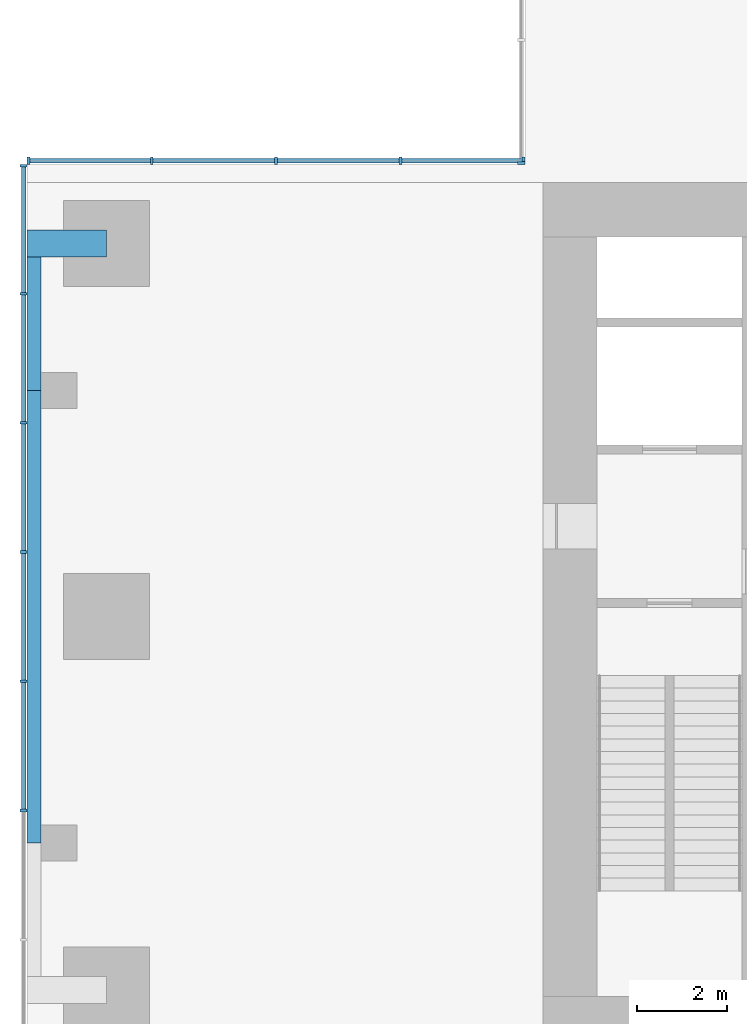
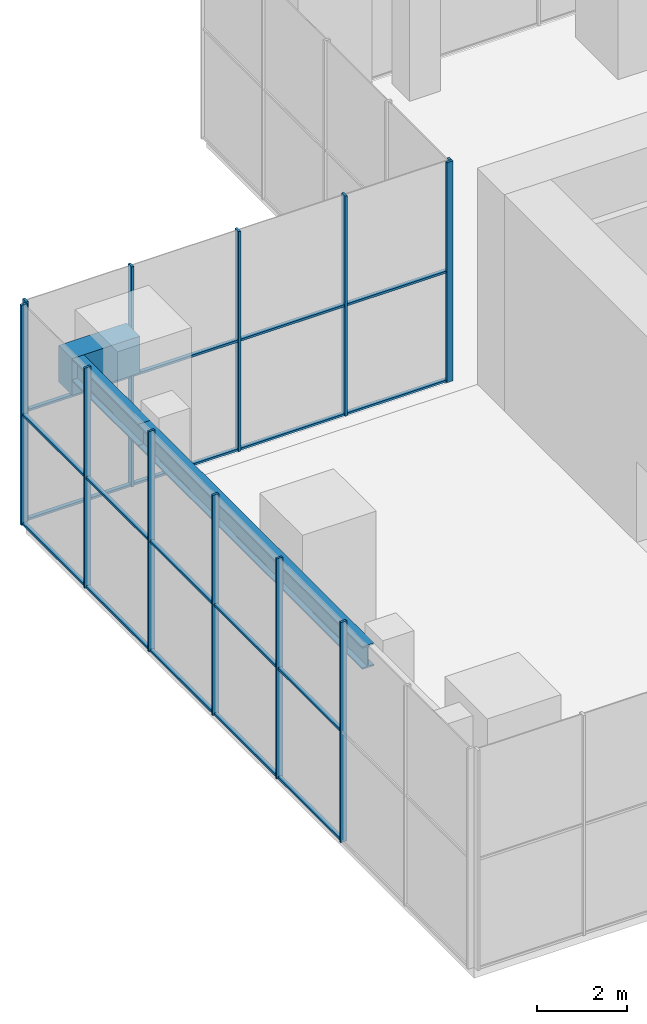
# One storey, part 4 of 11: 30 members, 3 beams, 3 elements without a shape of their own.
"""IFC4 building model written with IfcOpenShell, lengths in metres."""

from ifc_helpers import new_model, si_unit, direction, frame, origin, origin_2d, place, context, subcontext, project, spatial, rectangle, i_section, extrude, material, material_profile, profile_set, type_object, element, aggregate, save


model = new_model("IFC4")

# Units and contexts
model_context = context("Model", 3, precision=1e-05, world=origin(), true_north=direction((0.0, 1.0)))
body_context = subcontext(model_context, "Body", "Model", "MODEL_VIEW")
ifc_project = project(units=[si_unit("LENGTHUNIT", "METRE"), si_unit("AREAUNIT", "SQUARE_METRE"), si_unit("VOLUMEUNIT", "CUBIC_METRE"), si_unit("PLANEANGLEUNIT", "RADIAN"), si_unit("MASSUNIT", "GRAM", prefix="KILO")], contexts=[model_context])

# Site, building, storey
site_placement = place(None, origin())
site = spatial("IfcSite", under=ifc_project, at=site_placement, CompositionType="ELEMENT")
building_placement = place(site_placement, origin())
building = spatial("IfcBuilding", under=site, at=building_placement, Name="Svetlomir Tower", CompositionType="ELEMENT")
storey_placement = place(building_placement, frame((0.0, 0.0, 277.89990234375)))
storey = spatial("IfcBuildingStorey", under=building, at=storey_placement, Name="L66", CompositionType="ELEMENT", Elevation=277.89990234375)

# Curtain wall, member
ifc_material_1 = material(Name="Bronze anodised aluminium curtain wall", Category="aluminium")
curtain_wall_type = type_object("IfcCurtainWallType", Name="CURTAIN WALL CW6 LANTERN", PredefinedType="NOTDEFINED", material=ifc_material_1)
curtain_wall_1_placement = place(storey_placement, origin())
curtain_wall_1 = element("IfcCurtainWall", 1, at=curtain_wall_1_placement, inside=storey, type_object=curtain_wall_type, Name="Curtain wall CW6 L66", PredefinedType="NOTDEFINED")
ifc_material_2 = material(Name="Bronze anodised aluminium", Category="aluminium")
ifc_material_profile_1 = material_profile(ifc_material_2, rectangle(XDim=0.06005859375, YDim=0.159912109375, at=origin_2d()), Name="AL 60x160")
ifc_profile_set_1 = profile_set([ifc_material_profile_1], Name="Bronze anodised aluminium 6063-T6")
member_type_1 = type_object("IfcMemberType", Name="CW6 MULLION 60x160", PredefinedType="MULLION", material=ifc_profile_set_1)
member_1_placement = place(storey_placement, frame((10.919921875, 31.030029296875, 0.0), z_axis=(0.0, 0.0, 1.0), x_axis=(0.0, -1.0, 0.0)))
member_1 = element("IfcMember", 2, at=member_1_placement, type_object=member_type_1, Name="CW6 mullion 5", PredefinedType="MULLION", context=body_context, shape_type="SweptSolid", body=[
    extrude(rectangle(XDim=0.06005859375, YDim=0.159912109375, at=origin_2d()), origin(), (0.0, 0.0, 1.0), 6.0),
])
aggregate(curtain_wall_1, [member_1])

# Curtain wall, members
curtain_wall_2_placement = place(storey_placement, origin())
curtain_wall_2 = element("IfcCurtainWall", 3, at=curtain_wall_2_placement, inside=storey, type_object=curtain_wall_type, Name="Curtain wall CW6 L66", PredefinedType="NOTDEFINED")
member_2_placement = place(storey_placement, frame((10.969970703125, 31.080078125, 0.0), z_axis=(0.0, 0.0, 1.0), x_axis=(-1.0, 0.0, 0.0)))
member_2 = element("IfcMember", 4, at=member_2_placement, type_object=member_type_1, Name="CW6 mullion 1", PredefinedType="MULLION", context=body_context, shape_type="SweptSolid", body=[
    extrude(rectangle(XDim=0.06005859375, YDim=0.159912109375, at=origin_2d()), origin(), (0.0, 0.0, 1.0), 6.0),
])
member_3_placement = place(storey_placement, frame((8.25, 31.080078125, 0.0), z_axis=(0.0, 0.0, 1.0), x_axis=(-1.0, 0.0, 0.0)))
member_3 = element("IfcMember", 5, at=member_3_placement, type_object=member_type_1, Name="CW6 mullion 2", PredefinedType="MULLION", context=body_context, shape_type="SweptSolid", body=[
    extrude(rectangle(XDim=0.06005859375, YDim=0.159912109375, at=origin_2d()), origin(), (0.0, 0.0, 1.0), 6.0),
])
member_4_placement = place(storey_placement, frame((5.5, 31.080078125, 0.0), z_axis=(0.0, 0.0, 1.0), x_axis=(-1.0, 0.0, 0.0)))
member_4 = element("IfcMember", 6, at=member_4_placement, type_object=member_type_1, Name="CW6 mullion 3", PredefinedType="MULLION", context=body_context, shape_type="SweptSolid", body=[
    extrude(rectangle(XDim=0.06005859375, YDim=0.159912109375, at=origin_2d()), origin(), (0.0, 0.0, 1.0), 6.0),
])
member_5_placement = place(storey_placement, frame((2.75, 31.080078125, 0.0), z_axis=(0.0, 0.0, 1.0), x_axis=(-1.0, 0.0, 0.0)))
member_5 = element("IfcMember", 7, at=member_5_placement, type_object=member_type_1, Name="CW6 mullion 4", PredefinedType="MULLION", context=body_context, shape_type="SweptSolid", body=[
    extrude(rectangle(XDim=0.06005859375, YDim=0.159912109375, at=origin_2d()), origin(), (0.0, 0.0, 1.0), 6.0),
])
member_6_placement = place(storey_placement, frame((0.030029296875, 31.080078125, 0.0), z_axis=(0.0, 0.0, 1.0), x_axis=(-1.0, 0.0, 0.0)))
member_6 = element("IfcMember", 8, at=member_6_placement, type_object=member_type_1, Name="CW6 mullion 5", PredefinedType="MULLION", context=body_context, shape_type="SweptSolid", body=[
    extrude(rectangle(XDim=0.06005859375, YDim=0.159912109375, at=origin_2d()), origin(), (0.0, 0.0, 1.0), 6.0),
])

curtain_wall_3_placement = place(storey_placement, origin())
curtain_wall_3 = element("IfcCurtainWall", 9, at=curtain_wall_3_placement, inside=storey, type_object=curtain_wall_type, Name="Curtain wall CW6 L66", PredefinedType="NOTDEFINED")
member_7_placement = place(storey_placement, frame((-0.080078125, 30.969970703125, 0.0), z_axis=(0.0, 0.0, 1.0), x_axis=(0.0, -1.0, 0.0)))
member_7 = element("IfcMember", 10, at=member_7_placement, type_object=member_type_1, Name="CW6 mullion 1", PredefinedType="MULLION", context=body_context, shape_type="SweptSolid", body=[
    extrude(rectangle(XDim=0.06005859375, YDim=0.159912109375, at=origin_2d()), origin(), (0.0, 0.0, 1.0), 6.0),
])
member_8_placement = place(storey_placement, frame((-0.080078125, 28.142822265625, 0.0), z_axis=(0.0, 0.0, 1.0), x_axis=(0.0, -1.0, 0.0)))
member_8 = element("IfcMember", 11, at=member_8_placement, type_object=member_type_1, Name="CW6 mullion 2", PredefinedType="MULLION", context=body_context, shape_type="SweptSolid", body=[
    extrude(rectangle(XDim=0.06005859375, YDim=0.159912109375, at=origin_2d()), origin(), (0.0, 0.0, 1.0), 6.0),
])
member_9_placement = place(storey_placement, frame((-0.080078125, 25.28564453125, 0.0), z_axis=(0.0, 0.0, 1.0), x_axis=(0.0, -1.0, 0.0)))
member_9 = element("IfcMember", 12, at=member_9_placement, type_object=member_type_1, Name="CW6 mullion 3", PredefinedType="MULLION", context=body_context, shape_type="SweptSolid", body=[
    extrude(rectangle(XDim=0.06005859375, YDim=0.159912109375, at=origin_2d()), origin(), (0.0, 0.0, 1.0), 6.0),
])
member_10_placement = place(storey_placement, frame((-0.080078125, 22.428466796875, 0.0), z_axis=(0.0, 0.0, 1.0), x_axis=(0.0, -1.0, 0.0)))
member_10 = element("IfcMember", 13, at=member_10_placement, type_object=member_type_1, Name="CW6 mullion 4", PredefinedType="MULLION", context=body_context, shape_type="SweptSolid", body=[
    extrude(rectangle(XDim=0.06005859375, YDim=0.159912109375, at=origin_2d()), origin(), (0.0, 0.0, 1.0), 6.0),
])
member_11_placement = place(storey_placement, frame((-0.080078125, 19.571533203125, 0.0), z_axis=(0.0, 0.0, 1.0), x_axis=(0.0, -1.0, 0.0)))
member_11 = element("IfcMember", 14, at=member_11_placement, type_object=member_type_1, Name="CW6 mullion 5", PredefinedType="MULLION", context=body_context, shape_type="SweptSolid", body=[
    extrude(rectangle(XDim=0.06005859375, YDim=0.159912109375, at=origin_2d()), origin(), (0.0, 0.0, 1.0), 6.0),
])
member_12_placement = place(storey_placement, frame((-0.080078125, 16.71435546875, 0.0), z_axis=(0.0, 0.0, 1.0), x_axis=(0.0, -1.0, 0.0)))
member_12 = element("IfcMember", 15, at=member_12_placement, type_object=member_type_1, Name="CW6 mullion 6", PredefinedType="MULLION", context=body_context, shape_type="SweptSolid", body=[
    extrude(rectangle(XDim=0.06005859375, YDim=0.159912109375, at=origin_2d()), origin(), (0.0, 0.0, 1.0), 6.0),
])

# Member
ifc_material_3 = material(Name="Bronze anodised aluminium", Category="aluminium")
ifc_material_profile_2 = material_profile(ifc_material_3, rectangle(XDim=0.10009765625, YDim=0.06005859375, at=origin_2d()), Name="AL 100x60")
ifc_profile_set_2 = profile_set([ifc_material_profile_2], Name="Bronze anodised aluminium 6063-T6")
member_type_2 = type_object("IfcMemberType", Name="CW6 TRANSOM 60x100", PredefinedType="USERDEFINED", material=ifc_profile_set_2)
member_13_placement = place(storey_placement, frame((10.93994140625, 31.080078125, 0.030029296875), z_axis=(-1.0, 0.0, 0.0), x_axis=(0.0, -1.0, 0.0)))
member_13 = element("IfcMember", 16, at=member_13_placement, type_object=member_type_2, Name="CW6 transom 1.1", ObjectType="TRANSOM", PredefinedType="USERDEFINED", context=body_context, shape_type="SweptSolid", body=[
    extrude(rectangle(XDim=0.10009765625, YDim=0.06005859375, at=origin_2d()), origin(), (0.0, 0.0, 1.0), 2.659912109375),
])

member_14_placement = place(storey_placement, frame((10.93994140625, 31.080078125, 3.0), z_axis=(-1.0, 0.0, 0.0), x_axis=(0.0, -1.0, 0.0)))
member_14 = element("IfcMember", 17, at=member_14_placement, type_object=member_type_2, Name="CW6 transom 1.2", ObjectType="TRANSOM", PredefinedType="USERDEFINED", context=body_context, shape_type="SweptSolid", body=[
    extrude(rectangle(XDim=0.10009765625, YDim=0.06005859375, at=origin_2d()), origin(), (0.0, 0.0, 1.0), 2.659912109375),
])

member_15_placement = place(storey_placement, frame((8.219970703125, 31.080078125, 0.030029296875), z_axis=(-1.0, 0.0, 0.0), x_axis=(0.0, -1.0, 0.0)))
member_15 = element("IfcMember", 18, at=member_15_placement, type_object=member_type_2, Name="CW6 transom 2.1", ObjectType="TRANSOM", PredefinedType="USERDEFINED", context=body_context, shape_type="SweptSolid", body=[
    extrude(rectangle(XDim=0.10009765625, YDim=0.06005859375, at=origin_2d()), origin(), (0.0, 0.0, 1.0), 2.68994140625),
])

member_16_placement = place(storey_placement, frame((8.219970703125, 31.080078125, 3.0), z_axis=(-1.0, 0.0, 0.0), x_axis=(0.0, -1.0, 0.0)))
member_16 = element("IfcMember", 19, at=member_16_placement, type_object=member_type_2, Name="CW6 transom 2.2", ObjectType="TRANSOM", PredefinedType="USERDEFINED", context=body_context, shape_type="SweptSolid", body=[
    extrude(rectangle(XDim=0.10009765625, YDim=0.06005859375, at=origin_2d()), origin(), (0.0, 0.0, 1.0), 2.68994140625),
])

member_17_placement = place(storey_placement, frame((5.469970703125, 31.080078125, 0.030029296875), z_axis=(-1.0, 0.0, 0.0), x_axis=(0.0, -1.0, 0.0)))
member_17 = element("IfcMember", 20, at=member_17_placement, type_object=member_type_2, Name="CW6 transom 3.1", ObjectType="TRANSOM", PredefinedType="USERDEFINED", context=body_context, shape_type="SweptSolid", body=[
    extrude(rectangle(XDim=0.10009765625, YDim=0.06005859375, at=origin_2d()), origin(), (0.0, 0.0, 1.0), 2.68994140625),
])

member_18_placement = place(storey_placement, frame((5.469970703125, 31.080078125, 3.0), z_axis=(-1.0, 0.0, 0.0), x_axis=(0.0, -1.0, 0.0)))
member_18 = element("IfcMember", 21, at=member_18_placement, type_object=member_type_2, Name="CW6 transom 3.2", ObjectType="TRANSOM", PredefinedType="USERDEFINED", context=body_context, shape_type="SweptSolid", body=[
    extrude(rectangle(XDim=0.10009765625, YDim=0.06005859375, at=origin_2d()), origin(), (0.0, 0.0, 1.0), 2.68994140625),
])

member_19_placement = place(storey_placement, frame((2.719970703125, 31.080078125, 0.030029296875), z_axis=(-1.0, 0.0, 0.0), x_axis=(0.0, -1.0, 0.0)))
member_19 = element("IfcMember", 22, at=member_19_placement, type_object=member_type_2, Name="CW6 transom 4.1", ObjectType="TRANSOM", PredefinedType="USERDEFINED", context=body_context, shape_type="SweptSolid", body=[
    extrude(rectangle(XDim=0.10009765625, YDim=0.06005859375, at=origin_2d()), origin(), (0.0, 0.0, 1.0), 2.659912109375),
])

member_20_placement = place(storey_placement, frame((2.719970703125, 31.080078125, 3.0), z_axis=(-1.0, 0.0, 0.0), x_axis=(0.0, -1.0, 0.0)))
member_20 = element("IfcMember", 23, at=member_20_placement, type_object=member_type_2, Name="CW6 transom 4.2", ObjectType="TRANSOM", PredefinedType="USERDEFINED", context=body_context, shape_type="SweptSolid", body=[
    extrude(rectangle(XDim=0.10009765625, YDim=0.06005859375, at=origin_2d()), origin(), (0.0, 0.0, 1.0), 2.659912109375),
])

aggregate(curtain_wall_2, [member_2, member_3, member_4, member_5, member_6, member_13, member_14, member_15, member_16, member_17, member_18, member_19, member_20])

member_21_placement = place(storey_placement, frame((-0.080078125, 30.93994140625, 0.030029296875), z_axis=(0.0, -1.0, 0.0), x_axis=(1.0, 0.0, 0.0)))
member_21 = element("IfcMember", 24, at=member_21_placement, type_object=member_type_2, Name="CW6 transom 1.1", ObjectType="TRANSOM", PredefinedType="USERDEFINED", context=body_context, shape_type="SweptSolid", body=[
    extrude(rectangle(XDim=0.10009765625, YDim=0.06005859375, at=origin_2d()), origin(), (0.0, 0.0, 1.0), 2.76708984375),
])

member_22_placement = place(storey_placement, frame((-0.080078125, 30.93994140625, 3.0), z_axis=(0.0, -1.0, 0.0), x_axis=(1.0, 0.0, 0.0)))
member_22 = element("IfcMember", 25, at=member_22_placement, type_object=member_type_2, Name="CW6 transom 1.2", ObjectType="TRANSOM", PredefinedType="USERDEFINED", context=body_context, shape_type="SweptSolid", body=[
    extrude(rectangle(XDim=0.10009765625, YDim=0.06005859375, at=origin_2d()), origin(), (0.0, 0.0, 1.0), 2.76708984375),
])

member_23_placement = place(storey_placement, frame((-0.080078125, 28.11279296875, 0.030029296875), z_axis=(0.0, -1.0, 0.0), x_axis=(1.0, 0.0, 0.0)))
member_23 = element("IfcMember", 26, at=member_23_placement, type_object=member_type_2, Name="CW6 transom 2.1", ObjectType="TRANSOM", PredefinedType="USERDEFINED", context=body_context, shape_type="SweptSolid", body=[
    extrude(rectangle(XDim=0.10009765625, YDim=0.06005859375, at=origin_2d()), origin(), (0.0, 0.0, 1.0), 2.797119140625),
])

member_24_placement = place(storey_placement, frame((-0.080078125, 28.11279296875, 3.0), z_axis=(0.0, -1.0, 0.0), x_axis=(1.0, 0.0, 0.0)))
member_24 = element("IfcMember", 27, at=member_24_placement, type_object=member_type_2, Name="CW6 transom 2.2", ObjectType="TRANSOM", PredefinedType="USERDEFINED", context=body_context, shape_type="SweptSolid", body=[
    extrude(rectangle(XDim=0.10009765625, YDim=0.06005859375, at=origin_2d()), origin(), (0.0, 0.0, 1.0), 2.797119140625),
])

member_25_placement = place(storey_placement, frame((-0.080078125, 25.255615234375, 0.030029296875), z_axis=(0.0, -1.0, 0.0), x_axis=(1.0, 0.0, 0.0)))
member_25 = element("IfcMember", 28, at=member_25_placement, type_object=member_type_2, Name="CW6 transom 3.1", ObjectType="TRANSOM", PredefinedType="USERDEFINED", context=body_context, shape_type="SweptSolid", body=[
    extrude(rectangle(XDim=0.10009765625, YDim=0.06005859375, at=origin_2d()), origin(), (0.0, 0.0, 1.0), 2.797119140625),
])

member_26_placement = place(storey_placement, frame((-0.080078125, 25.255615234375, 3.0), z_axis=(0.0, -1.0, 0.0), x_axis=(1.0, 0.0, 0.0)))
member_26 = element("IfcMember", 29, at=member_26_placement, type_object=member_type_2, Name="CW6 transom 3.2", ObjectType="TRANSOM", PredefinedType="USERDEFINED", context=body_context, shape_type="SweptSolid", body=[
    extrude(rectangle(XDim=0.10009765625, YDim=0.06005859375, at=origin_2d()), origin(), (0.0, 0.0, 1.0), 2.797119140625),
])

member_27_placement = place(storey_placement, frame((-0.080078125, 22.398681640625, 0.030029296875), z_axis=(0.0, -1.0, 0.0), x_axis=(1.0, 0.0, 0.0)))
member_27 = element("IfcMember", 30, at=member_27_placement, type_object=member_type_2, Name="CW6 transom 4.1", ObjectType="TRANSOM", PredefinedType="USERDEFINED", context=body_context, shape_type="SweptSolid", body=[
    extrude(rectangle(XDim=0.10009765625, YDim=0.06005859375, at=origin_2d()), origin(), (0.0, 0.0, 1.0), 2.79736328125),
])

member_28_placement = place(storey_placement, frame((-0.080078125, 22.398681640625, 3.0), z_axis=(0.0, -1.0, 0.0), x_axis=(1.0, 0.0, 0.0)))
member_28 = element("IfcMember", 31, at=member_28_placement, type_object=member_type_2, Name="CW6 transom 4.2", ObjectType="TRANSOM", PredefinedType="USERDEFINED", context=body_context, shape_type="SweptSolid", body=[
    extrude(rectangle(XDim=0.10009765625, YDim=0.06005859375, at=origin_2d()), origin(), (0.0, 0.0, 1.0), 2.79736328125),
])

member_29_placement = place(storey_placement, frame((-0.080078125, 19.54150390625, 0.030029296875), z_axis=(0.0, -1.0, 0.0), x_axis=(1.0, 0.0, 0.0)))
member_29 = element("IfcMember", 32, at=member_29_placement, type_object=member_type_2, Name="CW6 transom 5.1", ObjectType="TRANSOM", PredefinedType="USERDEFINED", context=body_context, shape_type="SweptSolid", body=[
    extrude(rectangle(XDim=0.10009765625, YDim=0.06005859375, at=origin_2d()), origin(), (0.0, 0.0, 1.0), 2.797119140625),
])

member_30_placement = place(storey_placement, frame((-0.080078125, 19.54150390625, 3.0), z_axis=(0.0, -1.0, 0.0), x_axis=(1.0, 0.0, 0.0)))
member_30 = element("IfcMember", 33, at=member_30_placement, type_object=member_type_2, Name="CW6 transom 5.2", ObjectType="TRANSOM", PredefinedType="USERDEFINED", context=body_context, shape_type="SweptSolid", body=[
    extrude(rectangle(XDim=0.10009765625, YDim=0.06005859375, at=origin_2d()), origin(), (0.0, 0.0, 1.0), 2.797119140625),
])

aggregate(curtain_wall_3, [member_7, member_8, member_9, member_10, member_11, member_12, member_21, member_22, member_23, member_24, member_25, member_26, member_27, member_28, member_29, member_30])

# Beams
ifc_material_4 = material(Name="Steel S355", Category="steel")
ifc_material_profile_3 = material_profile(ifc_material_4, i_section(OverallWidth=0.304931640625, OverallDepth=0.6201171875, WebThickness=0.02099609375, FlangeThickness=0.0400390625, FilletRadius=0.027099609375, at=origin_2d()), Name="HEM 600")
ifc_profile_set_3 = profile_set([ifc_material_profile_3], Name="Steel S355")
beam_type_1 = type_object("IfcBeamType", Name="EDGE BEAM HEM 600", PredefinedType="SPANDREL", material=ifc_profile_set_3)
beam_1_placement = place(storey_placement, frame((0.152587890625, 16.0, 5.39013671875), z_axis=(0.0, 1.0, 0.0), x_axis=(-1.0, 0.0, 0.0)))
element("IfcBeam", 34, at=beam_1_placement, inside=storey, type_object=beam_type_1, Name="Edge beam 0/16 to 0/26 under L67", PredefinedType="SPANDREL", context=body_context, shape_type="SweptSolid", body=[
    extrude(i_section(OverallWidth=0.304931640625, OverallDepth=0.6201171875, WebThickness=0.02099609375, FlangeThickness=0.0400390625, FilletRadius=0.027099609375, at=origin_2d()), origin(), (0.0, 0.0, 1.0), 10.0),
])
beam_2_placement = place(storey_placement, frame((0.152587890625, 26.0, 5.39013671875), z_axis=(0.0, 1.0, 0.0), x_axis=(-1.0, 0.0, 0.0)))
element("IfcBeam", 35, at=beam_2_placement, inside=storey, type_object=beam_type_1, Name="Edge beam 0/26 to 0/31 under L67", PredefinedType="SPANDREL", context=body_context, shape_type="SweptSolid", body=[
    extrude(i_section(OverallWidth=0.304931640625, OverallDepth=0.6201171875, WebThickness=0.02099609375, FlangeThickness=0.0400390625, FilletRadius=0.027099609375, at=origin_2d()), origin(), (0.0, 0.0, 1.0), 2.949951171875),
])
ifc_material_5 = material(Name="Concrete C60/75", Category="concrete")
ifc_material_profile_4 = material_profile(ifc_material_5, rectangle(XDim=0.60009765625, YDim=1.0, at=origin_2d()), Name="RC 600x1000")
ifc_profile_set_4 = profile_set([ifc_material_profile_4], Name="Concrete C60/75")
beam_type_2 = type_object("IfcBeamType", Name="EDGE LINK BEAM RC 600x1000", PredefinedType="BEAM", material=ifc_profile_set_4)
beam_3_placement = place(storey_placement, frame((1.75, 29.25, 5.2001953125), z_axis=(-1.0, 0.0, 0.0), x_axis=(0.0, -1.0, 0.0)))
element("IfcBeam", 36, at=beam_3_placement, inside=storey, type_object=beam_type_2, Name="Edge link beam W 0/31 under L67", PredefinedType="BEAM", context=body_context, shape_type="SweptSolid", body=[
    extrude(rectangle(XDim=0.60009765625, YDim=1.0, at=origin_2d()), origin(), (0.0, 0.0, 1.0), 1.75),
])

save(model, "model.ifc")
